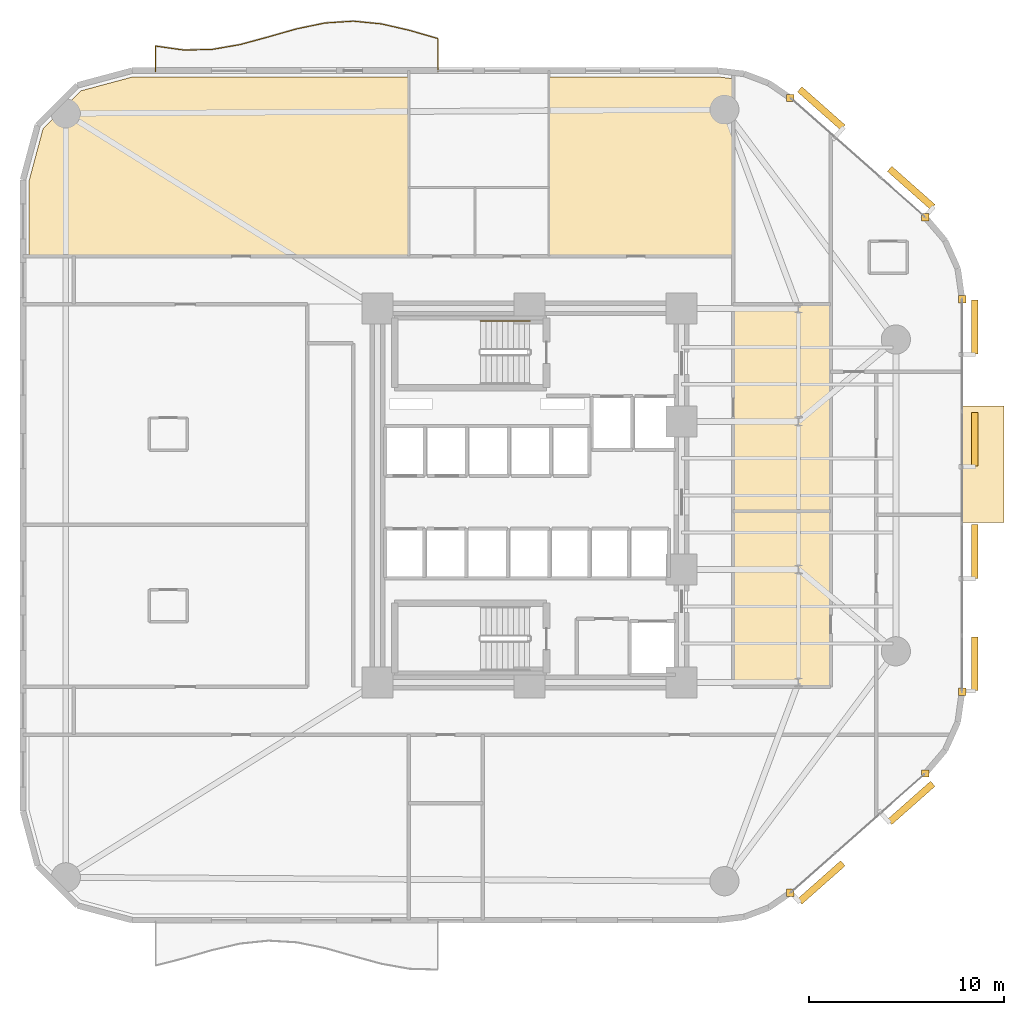
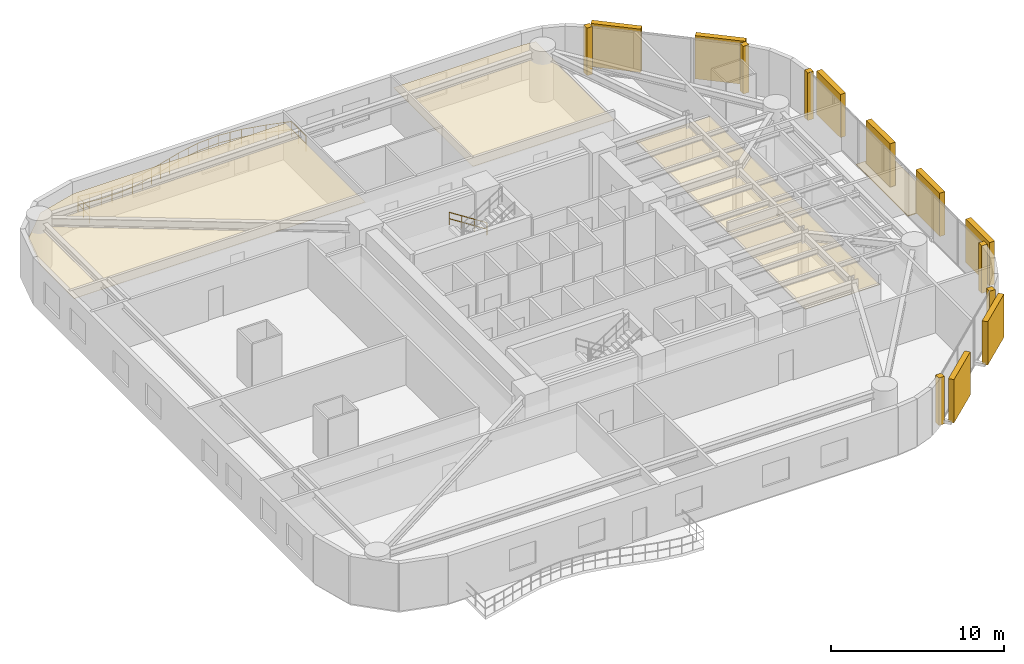
# One storey, part 16 of 16: 11 coverings, 8 shading devices, 2 railings.
"""IFC4 building model written with IfcOpenShell, lengths in metres."""

import ifcopenshell
import ifcopenshell.guid

model = None  # the IFC model being written
_history = None  # IfcOwnerHistory: only IFC2X3 demands one
_inside = {}  # id of a spatial element -> (the spatial element, [elements in it])
_under = {}  # id of a project, library or spatial element -> (it, [spatial elements below it])
_declared = {}  # id of a project -> (the project, [libraries it declares])
_typed = {}  # id of a type object -> (the type object, [elements of that type])
_made_of = {}  # id of a material, layer set ... -> (it, [elements and type objects made of it])


def new_model(schema):
    """Start an empty IFC model of exactly this schema.

    Asked for "IFC4X3", IfcOpenShell would pick the latest addendum, in which some entities
    have other attributes; the version numbers below select the first issue.
    IFC2X3 requires an IfcOwnerHistory on every rooted entity: one is made here for all.
    """
    global model, _history
    if schema == "IFC4X3":
        model = ifcopenshell.file(schema_version=(4, 3, 0, 0))
    else:
        model = ifcopenshell.file(schema=schema)
    _inside.clear()
    _under.clear()
    _declared.clear()
    _typed.clear()
    _made_of.clear()
    _history = None
    if model.schema == "IFC2X3":
        org = make("IfcOrganization", Name="unknown")
        user = make(
            "IfcPersonAndOrganization",
            ThePerson=make("IfcPerson", FamilyName="unknown"),
            TheOrganization=org,
        )
        app = make(
            "IfcApplication",
            ApplicationDeveloper=org,
            Version="unknown",
            ApplicationFullName="unknown",
            ApplicationIdentifier="unknown",
        )
        _history = make(
            "IfcOwnerHistory",
            OwningUser=user,
            OwningApplication=app,
            ChangeAction="ADDED",
            CreationDate=0,
        )
    return model


def make(cls, **values):
    """One entity of the class cls with the attributes given. An attribute that is None is left unset."""
    return model.create_entity(
        cls, **{name: value for name, value in values.items() if value is not None}
    )


def rooted(cls, **values):
    """An entity with a GlobalId (a new one), such as an element, a storey or a relation."""
    return make(cls, GlobalId=ifcopenshell.guid.new(), OwnerHistory=_history, **values)


def si_unit(unit_type, name, prefix=None):
    """IfcSIUnit, for example si_unit("LENGTHUNIT", "METRE", prefix="MILLI")."""
    return make("IfcSIUnit", UnitType=unit_type, Prefix=prefix, Name=name)


def assignment(units):
    """IfcUnitAssignment: the units of a project."""
    return None if units is None else make("IfcUnitAssignment", Units=units)


def point(xyz):
    """IfcCartesianPoint."""
    return None if xyz is None else make("IfcCartesianPoint", Coordinates=xyz)


def direction(xyz):
    """IfcDirection."""
    return None if xyz is None else make("IfcDirection", DirectionRatios=xyz)


def frame(location, z_axis=None, x_axis=None):
    """IfcAxis2Placement3D, a coordinate frame: its origin and axes. An axis left out is left unset."""
    return make(
        "IfcAxis2Placement3D",
        Location=point(location),
        Axis=direction(z_axis),
        RefDirection=direction(x_axis),
    )


def frame_2d(location, x_axis=None):
    """IfcAxis2Placement2D, a coordinate frame in the plane: its origin and x axis."""
    return make(
        "IfcAxis2Placement2D", Location=point(location), RefDirection=direction(x_axis)
    )


def origin():
    """The frame at (0, 0, 0) with its axes left unset."""
    return frame((0.0, 0.0, 0.0))


def origin_2d():
    """The frame at (0, 0) in the plane with its x axis left unset."""
    return frame_2d((0.0, 0.0))


def place(relative_to, where):
    """IfcLocalPlacement: puts the frame where relative to a parent placement (None: the world)."""
    return make(
        "IfcLocalPlacement", PlacementRelTo=relative_to, RelativePlacement=where
    )


def context(
    kind, dimensions, precision=None, world=None, true_north=None, identifier=None
):
    """IfcGeometricRepresentationContext, for example the 3D "Model" context."""
    return make(
        "IfcGeometricRepresentationContext",
        ContextIdentifier=identifier,
        ContextType=kind,
        CoordinateSpaceDimension=dimensions,
        Precision=precision,
        WorldCoordinateSystem=world,
        TrueNorth=true_north,
    )


def subcontext(parent, identifier, kind, view, scale=None):
    """IfcGeometricRepresentationSubContext, for example "Body" below "Model"."""
    return make(
        "IfcGeometricRepresentationSubContext",
        ContextIdentifier=identifier,
        ContextType=kind,
        ParentContext=parent,
        TargetScale=scale,
        TargetView=view,
    )


def project(units=None, contexts=None):
    """IfcProject with its units and contexts."""
    return rooted(
        "IfcProject",
        Name="project",
        RepresentationContexts=contexts,
        UnitsInContext=assignment(units),
    )


def spatial(cls, under=None, at=None, **own):
    """A site, building, storey or space (cls), placed at a placement, below another one or the project."""
    s = rooted(cls, ObjectPlacement=at, **own)
    if under is not None:
        _under.setdefault(under.id(), (under, []))[1].append(s)
    return s


def polyline(points):
    """IfcPolyline through the points."""
    return make("IfcPolyline", Points=[point(p) for p in points])


def profile(cls, at=None, kind="AREA", **sizes):
    """A parametric profile (cls). Its sizes go by their IFC names, for example OverallWidth=200.0."""
    return make(cls, ProfileType=kind, Position=at, **sizes)


def rectangle(**sizes):
    """IfcRectangleProfileDef."""
    return profile("IfcRectangleProfileDef", **sizes)


def circle(**sizes):
    """IfcCircleProfileDef."""
    return profile("IfcCircleProfileDef", **sizes)


def outline(outer, holes=None, kind="AREA"):
    """IfcArbitraryClosedProfileDef: a profile drawn as a closed curve; with holes, ...WithVoids."""
    if holes is None:
        return make("IfcArbitraryClosedProfileDef", ProfileType=kind, OuterCurve=outer)
    return make(
        "IfcArbitraryProfileDefWithVoids",
        ProfileType=kind,
        OuterCurve=outer,
        InnerCurves=holes,
    )


def extrude(swept, where, along, depth):
    """IfcExtrudedAreaSolid: the profile swept, set in the frame where, extruded along a direction by depth."""
    return make(
        "IfcExtrudedAreaSolid",
        SweptArea=swept,
        Position=where,
        ExtrudedDirection=direction(along),
        Depth=depth,
    )


def shape(context_of_items, identifier, shape_type, items):
    """IfcShapeRepresentation: the items that make up one representation, for example the "Body"."""
    return make(
        "IfcShapeRepresentation",
        ContextOfItems=context_of_items,
        RepresentationIdentifier=identifier,
        RepresentationType=shape_type,
        Items=items,
    )


def material(Name=None, Category=None):
    """IfcMaterial."""
    return make("IfcMaterial", Name=Name, Category=Category)


def layer(
    of_material, thickness, ventilated=None, Name=None, Category=None, Priority=None
):
    """IfcMaterialLayer: one layer of a wall or slab, of a material (None: an air gap)."""
    return make(
        "IfcMaterialLayer",
        Material=of_material,
        LayerThickness=thickness,
        IsVentilated=ventilated,
        Name=Name,
        Category=Category,
        Priority=Priority,
    )


def layer_set(layers, Name=None):
    """IfcMaterialLayerSet."""
    return make("IfcMaterialLayerSet", MaterialLayers=layers, LayerSetName=Name)


def made_of(thing, what):
    """Note that an element or type object is made of a material, layer set ...; save() writes the relation."""
    if what is not None:
        _made_of.setdefault(what.id(), (what, []))[1].append(thing)
    return thing


def type_object(cls, material=None, **own):
    """A type object (cls), such as IfcWallType, which elements share."""
    return made_of(rooted(cls, **own), material)


def element(
    cls,
    number,
    at=None,
    inside=None,
    cuts=None,
    type_object=None,
    material=None,
    context=None,
    identifier="Body",
    shape_type=None,
    held_by="IfcProductDefinitionShape",
    body=None,
    shapes=None,
    **own,
):
    """One element of the class cls, such as IfcWall. Its Tag is "e" and its number.

    at: its placement. inside: the storey or other place that contains it. cuts: it is an
    opening in that element (IfcRelVoidsElement). A single representation is given by context,
    identifier, shape_type and body (its items); several are given by shapes. held_by: the class
    of the entity that holds the representations. save() writes the other relations.
    """
    e = rooted(cls, Tag="e%d" % number, ObjectPlacement=at, **own)
    if body is not None:
        shapes = [shape(context, identifier, shape_type, body)]
    if shapes is not None:
        e.Representation = make(held_by, Representations=shapes)
    if inside is not None:
        _inside.setdefault(inside.id(), (inside, []))[1].append(e)
    if cuts is not None:
        rooted(
            "IfcRelVoidsElement", RelatingBuildingElement=cuts, RelatedOpeningElement=e
        )
    if type_object is not None:
        _typed.setdefault(type_object.id(), (type_object, []))[1].append(e)
    return made_of(e, material)


def aggregate(whole, parts):
    """IfcRelAggregates: a whole, such as a stair, and the parts it consists of."""
    return rooted("IfcRelAggregates", RelatingObject=whole, RelatedObjects=parts)


def save(model, path):
    """Write the relations noted so far, then the file.

    IfcRelAggregates (storeys below a building ...), IfcRelContainedInSpatialStructure (elements
    in a storey), IfcRelDefinesByType, IfcRelAssociatesMaterial and IfcRelDeclares: one each for
    every whole, place, type object, material and project.
    """
    for whole, parts in _under.values():
        aggregate(whole, parts)
    for where, things in _inside.values():
        rooted(
            "IfcRelContainedInSpatialStructure",
            RelatedElements=things,
            RelatingStructure=where,
        )
    for kind, things in _typed.values():
        rooted("IfcRelDefinesByType", RelatedObjects=things, RelatingType=kind)
    for what, things in _made_of.values():
        rooted("IfcRelAssociatesMaterial", RelatedObjects=things, RelatingMaterial=what)
    for by, libraries in _declared.values():
        rooted("IfcRelDeclares", RelatingContext=by, RelatedDefinitions=libraries)
    model.write(path)


model = new_model("IFC4")

# Units and contexts
model_context = context("Model", 3, precision=1e-05, world=origin(), true_north=direction((0.0, 1.0)))
body_context = subcontext(model_context, "Body", "Model", "MODEL_VIEW")
ifc_project = project(units=[si_unit("LENGTHUNIT", "METRE"), si_unit("AREAUNIT", "SQUARE_METRE"), si_unit("VOLUMEUNIT", "CUBIC_METRE"), si_unit("PLANEANGLEUNIT", "RADIAN"), si_unit("MASSUNIT", "GRAM", prefix="KILO")], contexts=[model_context])

# Site, building, storey
site_placement = place(None, origin())
site = spatial("IfcSite", under=ifc_project, at=site_placement, CompositionType="ELEMENT")
building_placement = place(site_placement, origin())
building = spatial("IfcBuilding", under=site, at=building_placement, Name="An Khanh Terracotta Commons", CompositionType="ELEMENT")
storey_placement = place(building_placement, frame((0.0, 0.0, 72.0)))
storey = spatial("IfcBuildingStorey", under=building, at=storey_placement, Name="L19", CompositionType="ELEMENT", Elevation=72.0)

# Coverings
ifc_material_1 = material(Name="Perforated Mineral-Fibre Acoustic Tile")
ifc_layer_1 = layer(ifc_material_1, 0.02001953125, Name="Perforated Mineral-Fibre Acoustic Tile")
ifc_layer_set_1 = layer_set([ifc_layer_1], Name="Perforated Mineral-Fibre Acoustic Tile")
covering_type_1 = type_object("IfcCoveringType", Name="CEIL-ACOUSTIC-18", PredefinedType="CEILING", material=ifc_layer_set_1)
covering_1_placement = place(storey_placement, frame((0.0, 0.0, 2.64990234375)))
element("IfcCovering", 1, at=covering_1_placement, inside=storey, type_object=covering_type_1, Name="L19 Collaborative Study Lounge Ceiling", PredefinedType="CEILING", context=body_context, shape_type="SweptSolid", body=[
    extrude(outline(polyline([(39.85009765625, 23.199951171875), (44.85009765625, 23.199951171875), (44.85009765625, 14.179931640625), (39.85009765625, 14.179931640625), (39.85009765625, 23.199951171875)])), origin(), (0.0, 0.0, 1.0), 0.02001953125),
])
covering_2_placement = place(storey_placement, frame((0.0, 0.0, 2.64990234375)))
element("IfcCovering", 2, at=covering_2_placement, inside=storey, type_object=covering_type_1, Name="L19 Academic Seminar Room Ceiling", PredefinedType="CEILING", context=body_context, shape_type="SweptSolid", body=[
    extrude(outline(polyline([(39.85009765625, 33.820068359375), (44.85009765625, 33.820068359375), (44.85009765625, 30.35009765625), (44.85009765625, 23.199951171875), (39.85009765625, 23.199951171875), (39.85009765625, 33.820068359375)])), origin(), (0.0, 0.0, 1.0), 0.02001953125),
])
covering_3_placement = place(storey_placement, frame((0.0, 0.0, 2.64990234375)))
element("IfcCovering", 3, at=covering_3_placement, inside=storey, type_object=covering_type_1, Name="L19 Academic Seminar Room Ceiling", PredefinedType="CEILING", context=body_context, shape_type="SweptSolid", body=[
    extrude(outline(polyline([(9.0419921875, 45.47998046875), (23.199951171875, 45.47998046875), (23.199951171875, 39.800048828125), (23.199951171875, 36.280029296875), (6.0, 36.280029296875), (3.719970703125, 36.280029296875), (3.719970703125, 40.157958984375), (4.43701171875, 42.833984375), (6.365966796875, 44.762939453125), (9.0419921875, 45.47998046875)])), origin(), (0.0, 0.0, 1.0), 0.02001953125),
])
covering_4_placement = place(storey_placement, frame((0.0, 0.0, 2.64990234375)))
element("IfcCovering", 4, at=covering_4_placement, inside=storey, type_object=covering_type_1, Name="L19 Academic Seminar Room Ceiling", PredefinedType="CEILING", context=body_context, shape_type="SweptSolid", body=[
    extrude(outline(polyline([(39.06005859375, 45.47998046875), (39.85009765625, 45.384033203125), (39.85009765625, 36.280029296875), (37.5, 36.280029296875), (30.39990234375, 36.280029296875), (30.39990234375, 39.800048828125), (30.39990234375, 45.47998046875), (39.06005859375, 45.47998046875)])), origin(), (0.0, 0.0, 1.0), 0.02001953125),
])
ifc_material_2 = material(Name="Fired Terracotta Rainscreen Cladding", Category="masonry")
ifc_layer_2 = layer(ifc_material_2, 0.080078125, Name="Fired Terracotta Rainscreen Cladding")
ifc_layer_set_2 = layer_set([ifc_layer_2], Name="Fired Terracotta Rainscreen Cladding")
covering_type_2 = type_object("IfcCoveringType", Name="COV-JAMB-TERRA", PredefinedType="CLADDING", material=ifc_layer_set_2)
for number, where, z_axis, x_axis, name in (
    (5, (42.7890625, 3.60595703125, 0.0), (0.0, 0.0, 1.0), (1.0, 0.0, 0.0), "L19 CW-02 Curtain-Wall Jamb Closure JA"),
    (6, (49.7099609375, 9.72802734375, 0.0), (0.0, 0.0, 1.0), (1.0, 0.0, 0.0), "L19 CW-02 Curtain-Wall Jamb Closure JB"),
    (7, (51.60009765625, 13.923095703125, 0.0), (0.0, 0.0, 1.0), (1.0, 0.0, 0.0), "L19 CW-02 Curtain-Wall Jamb Closure JA"),
    (8, (51.60009765625, 34.076904296875, 0.0), (0.0, 0.0, 1.0), (1.0, 0.0, 0.0), "L19 CW-02 Curtain-Wall Jamb Closure JB"),
    (9, (49.7099609375, 38.27197265625, 0.0), (0.0, 0.0, 1.0), (1.0, 0.0, 0.0), "L19 CW-02 Curtain-Wall Jamb Closure JA"),
    (10, (42.7890625, 44.39404296875, 0.0), (0.0, 0.0, 1.0), (1.0, 0.0, 0.0), "L19 CW-02 Curtain-Wall Jamb Closure JB"),
):
    element("IfcCovering", number, at=place(storey_placement, frame(where, z_axis=z_axis, x_axis=x_axis)), inside=storey, type_object=covering_type_2, Name=name, PredefinedType="CLADDING", context=body_context, shape_type="SweptSolid", body=[
        extrude(rectangle(XDim=0.3798828125, YDim=0.3798828125, at=origin_2d()), origin(), (0.0, 0.0, 1.0), 3.360107421875),
    ])
ifc_material_3 = material(Name="Planted Garden Waterproofing Membrane")
ifc_layer_3 = layer(ifc_material_3, 0.080078125, Name="Planted Garden Waterproofing Membrane")
ifc_layer_set_3 = layer_set([ifc_layer_3], Name="Planted Garden Waterproofing Membrane")
covering_type_3 = type_object("IfcCoveringType", Name="COV-ROOFING-GREEN", PredefinedType="ROOFING", material=ifc_layer_set_3)
covering_5_placement = place(storey_placement, origin())
element("IfcCovering", 11, at=covering_5_placement, inside=storey, type_object=covering_type_3, Name="L19 Shifted Box Roof Waterproofing (L18)", PredefinedType="ROOFING", context=body_context, shape_type="SweptSolid", body=[
    extrude(outline(polyline([(51.60009765625, 22.60009765625), (53.75, 22.60009765625), (53.75, 28.60009765625), (51.60009765625, 28.60009765625), (51.60009765625, 22.60009765625)])), origin(), (0.0, 0.0, 1.0), 0.06005859375),
])

# Railings
ifc_material_4 = material(Name="Brushed Stainless Steel 316", Category="steel")
railing_type_1 = type_object("IfcRailingType", Name="RAIL-BALUSTRADE-1100", PredefinedType="BALUSTRADE", material=ifc_material_4)
railing_1_placement = place(storey_placement, frame((24.699951171875, 45.739990234375, 0.0)))
element("IfcRailing", 12, at=railing_1_placement, inside=storey, type_object=railing_type_1, Name="L19 N Wave Balcony Guard Balustrade", PredefinedType="BALUSTRADE", context=body_context, shape_type="SweptSolid", body=[
    extrude(circle(Radius=0.02392578125, at=origin_2d()), frame((0.0, 0.0, 1.076171875), z_axis=(0.0, 1.0, 0.0), x_axis=(-1.0, 0.0, 0.0)), (0.0, 0.0, 1.0), 1.7041015625),
    extrude(circle(Radius=0.02392578125, at=origin_2d()), frame((0.0, 0.0, 0.52587890625), z_axis=(0.0, 1.0, 0.0), x_axis=(-1.0, 0.0, 0.0)), (0.0, 0.0, 1.0), 1.7041015625),
    extrude(circle(Radius=0.02392578125, at=origin_2d()), frame((0.0, 1.7041015625, 1.076171875), z_axis=(-0.960701721664, 0.277582784034, 0.0), x_axis=(-0.277582784034, -0.960701721664, 0.0)), (0.0, 0.0, 1.0), 1.50927734375),
    extrude(circle(Radius=0.02392578125, at=origin_2d()), frame((0.0, 1.7041015625, 0.52587890625), z_axis=(-0.960701721664, 0.277582784034, 0.0), x_axis=(-0.277582784034, -0.960701721664, 0.0)), (0.0, 0.0, 1.0), 1.50927734375),
    extrude(circle(Radius=0.02392578125, at=origin_2d()), frame((-1.449951171875, 2.123046875, 1.076171875), z_axis=(-0.974482374478, 0.224464032377, 0.0), x_axis=(-0.224464032377, -0.974482374478, 0.0)), (0.0, 0.0, 1.0), 1.488037109375),
    extrude(circle(Radius=0.02392578125, at=origin_2d()), frame((-1.449951171875, 2.123046875, 0.52587890625), z_axis=(-0.974482374478, 0.224464032377, 0.0), x_axis=(-0.224464032377, -0.974482374478, 0.0)), (0.0, 0.0, 1.0), 1.488037109375),
    extrude(circle(Radius=0.02392578125, at=origin_2d()), frame((-2.89990234375, 2.45703125, 1.076171875), z_axis=(-0.995232672136, 0.097529115202, 0.0), x_axis=(-0.097529115202, -0.995232672136, 0.0)), (0.0, 0.0, 1.0), 1.456787109375),
    extrude(circle(Radius=0.02392578125, at=origin_2d()), frame((-2.89990234375, 2.45703125, 0.52587890625), z_axis=(-0.995232672136, 0.097529115202, 0.0), x_axis=(-0.097529115202, -0.995232672136, 0.0)), (0.0, 0.0, 1.0), 1.456787109375),
    extrude(circle(Radius=0.02392578125, at=origin_2d()), frame((-4.349853515625, 2.59912109375, 1.076171875), z_axis=(-0.997851551328, -0.065515505895, 0.0), x_axis=(0.065515505895, -0.997851551328, 0.0)), (0.0, 0.0, 1.0), 1.453369140625),
    extrude(circle(Radius=0.02392578125, at=origin_2d()), frame((-4.349853515625, 2.59912109375, 0.52587890625), z_axis=(-0.997851551328, -0.065515505895, 0.0), x_axis=(0.065515505895, -0.997851551328, 0.0)), (0.0, 0.0, 1.0), 1.453369140625),
    extrude(circle(Radius=0.02392578125, at=origin_2d()), frame((-5.800048828125, 2.50390625, 1.076171875), z_axis=(-0.979285230357, -0.2024856479, 0.0), x_axis=(0.2024856479, -0.979285230357, 0.0)), (0.0, 0.0, 1.0), 1.480712890625),
    extrude(circle(Radius=0.02392578125, at=origin_2d()), frame((-5.800048828125, 2.50390625, 0.52587890625), z_axis=(-0.979285230357, -0.2024856479, 0.0), x_axis=(0.2024856479, -0.979285230357, 0.0)), (0.0, 0.0, 1.0), 1.480712890625),
    extrude(circle(Radius=0.02392578125, at=origin_2d()), frame((-7.25, 2.2041015625, 1.076171875), z_axis=(-0.961731438212, -0.27399386992, 0.0), x_axis=(0.27399386992, -0.961731438212, 0.0)), (0.0, 0.0, 1.0), 1.507568359375),
    extrude(circle(Radius=0.02392578125, at=origin_2d()), frame((-7.25, 2.2041015625, 0.52587890625), z_axis=(-0.961731438212, -0.27399386992, 0.0), x_axis=(0.27399386992, -0.961731438212, 0.0)), (0.0, 0.0, 1.0), 1.507568359375),
    extrude(circle(Radius=0.02392578125, at=origin_2d()), frame((-8.699951171875, 1.791015625, 1.076171875), z_axis=(-0.964999660908, -0.262251128592, 0.0), x_axis=(0.262251128592, -0.964999660908, 0.0)), (0.0, 0.0, 1.0), 1.50244140625),
    extrude(circle(Radius=0.02392578125, at=origin_2d()), frame((-8.699951171875, 1.791015625, 0.52587890625), z_axis=(-0.964999660908, -0.262251128592, 0.0), x_axis=(0.262251128592, -0.964999660908, 0.0)), (0.0, 0.0, 1.0), 1.50244140625),
    extrude(circle(Radius=0.02392578125, at=origin_2d()), frame((-10.14990234375, 1.39697265625, 1.076171875), z_axis=(-0.985347824939, -0.170556922721, 0.0), x_axis=(0.170556922721, -0.985347824939, 0.0)), (0.0, 0.0, 1.0), 1.471435546875),
    extrude(circle(Radius=0.02392578125, at=origin_2d()), frame((-10.14990234375, 1.39697265625, 0.52587890625), z_axis=(-0.985347824939, -0.170556922721, 0.0), x_axis=(0.170556922721, -0.985347824939, 0.0)), (0.0, 0.0, 1.0), 1.471435546875),
    extrude(circle(Radius=0.02392578125, at=origin_2d()), frame((-11.599853515625, 1.14599609375, 1.076171875), z_axis=(-0.999799386417, -0.020029651007, 0.0), x_axis=(0.020029651007, -0.999799386417, 0.0)), (0.0, 0.0, 1.0), 1.450439453125),
    extrude(circle(Radius=0.02392578125, at=origin_2d()), frame((-11.599853515625, 1.14599609375, 0.52587890625), z_axis=(-0.999799386417, -0.020029651007, 0.0), x_axis=(0.020029651007, -0.999799386417, 0.0)), (0.0, 0.0, 1.0), 1.450439453125),
    extrude(circle(Radius=0.02392578125, at=origin_2d()), frame((-13.050048828125, 1.116943359375, 1.076171875), z_axis=(-0.990329378756, 0.138736158129, 0.0), x_axis=(-0.138736158129, -0.990329378756, 0.0)), (0.0, 0.0, 1.0), 1.464111328125),
    extrude(circle(Radius=0.02392578125, at=origin_2d()), frame((-13.050048828125, 1.116943359375, 0.52587890625), z_axis=(-0.990329378756, 0.138736158129, 0.0), x_axis=(-0.138736158129, -0.990329378756, 0.0)), (0.0, 0.0, 1.0), 1.464111328125),
    extrude(circle(Radius=0.02392578125, at=origin_2d()), frame((-14.5, 1.320068359375, 1.076171875), z_axis=(0.0, -1.0, 0.0), x_axis=(1.0, 0.0, 0.0)), (0.0, 0.0, 1.0), 1.320068359375),
    extrude(circle(Radius=0.02392578125, at=origin_2d()), frame((-14.5, 1.320068359375, 0.52587890625), z_axis=(0.0, -1.0, 0.0), x_axis=(1.0, 0.0, 0.0)), (0.0, 0.0, 1.0), 1.320068359375),
    extrude(circle(Radius=0.02099609375, at=origin_2d()), origin(), (0.0, 0.0, 1.0), 1.052001953125),
    extrude(circle(Radius=0.02099609375, at=origin_2d()), frame((0.0, 0.85205078125, 0.0)), (0.0, 0.0, 1.0), 1.052001953125),
    extrude(circle(Radius=0.02099609375, at=origin_2d()), frame((0.0, 1.7041015625, 0.0)), (0.0, 0.0, 1.0), 1.052001953125),
    extrude(circle(Radius=0.02099609375, at=origin_2d()), frame((-0.72509765625, 1.91357421875, 0.0)), (0.0, 0.0, 1.0), 1.052001953125),
    extrude(circle(Radius=0.02099609375, at=origin_2d()), frame((-1.449951171875, 2.123046875, 0.0)), (0.0, 0.0, 1.0), 1.052001953125),
    extrude(circle(Radius=0.02099609375, at=origin_2d()), frame((-2.1748046875, 2.2900390625, 0.0)), (0.0, 0.0, 1.0), 1.052001953125),
    extrude(circle(Radius=0.02099609375, at=origin_2d()), frame((-2.89990234375, 2.45703125, 0.0)), (0.0, 0.0, 1.0), 1.052001953125),
    extrude(circle(Radius=0.02099609375, at=origin_2d()), frame((-3.625, 2.528076171875, 0.0)), (0.0, 0.0, 1.0), 1.052001953125),
    extrude(circle(Radius=0.02099609375, at=origin_2d()), frame((-4.349853515625, 2.59912109375, 0.0)), (0.0, 0.0, 1.0), 1.052001953125),
    extrude(circle(Radius=0.02099609375, at=origin_2d()), frame((-5.074951171875, 2.551513671875, 0.0)), (0.0, 0.0, 1.0), 1.052001953125),
    extrude(circle(Radius=0.02099609375, at=origin_2d()), frame((-5.800048828125, 2.50390625, 0.0)), (0.0, 0.0, 1.0), 1.052001953125),
    extrude(circle(Radius=0.02099609375, at=origin_2d()), frame((-6.52490234375, 2.35400390625, 0.0)), (0.0, 0.0, 1.0), 1.052001953125),
    extrude(circle(Radius=0.02099609375, at=origin_2d()), frame((-7.25, 2.2041015625, 0.0)), (0.0, 0.0, 1.0), 1.052001953125),
    extrude(circle(Radius=0.02099609375, at=origin_2d()), frame((-7.97509765625, 1.99755859375, 0.0)), (0.0, 0.0, 1.0), 1.052001953125),
    extrude(circle(Radius=0.02099609375, at=origin_2d()), frame((-8.699951171875, 1.791015625, 0.0)), (0.0, 0.0, 1.0), 1.052001953125),
    extrude(circle(Radius=0.02099609375, at=origin_2d()), frame((-9.4248046875, 1.593994140625, 0.0)), (0.0, 0.0, 1.0), 1.052001953125),
    extrude(circle(Radius=0.02099609375, at=origin_2d()), frame((-10.14990234375, 1.39697265625, 0.0)), (0.0, 0.0, 1.0), 1.052001953125),
    extrude(circle(Radius=0.02099609375, at=origin_2d()), frame((-10.875, 1.271484375, 0.0)), (0.0, 0.0, 1.0), 1.052001953125),
    extrude(circle(Radius=0.02099609375, at=origin_2d()), frame((-11.599853515625, 1.14599609375, 0.0)), (0.0, 0.0, 1.0), 1.052001953125),
    extrude(circle(Radius=0.02099609375, at=origin_2d()), frame((-12.324951171875, 1.13134765625, 0.0)), (0.0, 0.0, 1.0), 1.052001953125),
    extrude(circle(Radius=0.02099609375, at=origin_2d()), frame((-13.050048828125, 1.116943359375, 0.0)), (0.0, 0.0, 1.0), 1.052001953125),
    extrude(circle(Radius=0.02099609375, at=origin_2d()), frame((-13.77490234375, 1.218505859375, 0.0)), (0.0, 0.0, 1.0), 1.052001953125),
    extrude(circle(Radius=0.02099609375, at=origin_2d()), frame((-14.5, 1.320068359375, 0.0)), (0.0, 0.0, 1.0), 1.052001953125),
    extrude(circle(Radius=0.02099609375, at=origin_2d()), frame((-14.5, 0.66015625, 0.0)), (0.0, 0.0, 1.0), 1.052001953125),
    extrude(circle(Radius=0.02099609375, at=origin_2d()), frame((-14.5, 0.0, 0.0)), (0.0, 0.0, 1.0), 1.052001953125),
])
railing_type_2 = type_object("IfcRailingType", Name="RAIL-HANDRAIL-900", PredefinedType="HANDRAIL", material=ifc_material_4)
railing_2_placement = place(storey_placement, frame((29.409912109375, 32.949951171875, 0.179931640625)))
element("IfcRailing", 13, at=railing_2_placement, inside=storey, type_object=railing_type_2, Name="L19 ST-01 stair handrail 1", PredefinedType="HANDRAIL", context=body_context, shape_type="SweptSolid", body=[
    extrude(circle(Radius=0.02392578125, at=origin_2d()), frame((0.0, 0.0, 0.8759765625), z_axis=(-0.841162588446, 0.0, 0.540782303519), x_axis=(0.0, -1.0, 0.0)), (0.0, 0.0, 1.0), 2.995849609375),
    extrude(circle(Radius=0.02392578125, at=origin_2d()), frame((0.0, 0.0, 0.42578125), z_axis=(-0.841162588446, 0.0, 0.540782303519), x_axis=(0.0, -1.0, 0.0)), (0.0, 0.0, 1.0), 2.995849609375),
    extrude(circle(Radius=0.02099609375, at=origin_2d()), origin(), (0.0, 0.0, 1.0), 0.851806640625),
    extrude(circle(Radius=0.02099609375, at=origin_2d()), frame((-0.840087890625, 0.0, 0.5400390625)), (0.0, 0.0, 1.0), 0.851806640625),
    extrude(circle(Radius=0.02099609375, at=origin_2d()), frame((-1.679931640625, 0.0, 1.080078125)), (0.0, 0.0, 1.0), 0.851806640625),
    extrude(circle(Radius=0.02099609375, at=origin_2d()), frame((-2.52001953125, 0.0, 1.6201171875)), (0.0, 0.0, 1.0), 0.851806640625),
])

# Shading devices
ifc_material_5 = material(Name="Extruded Fired Terracotta", Category="masonry")
shading_device_type = type_object("IfcShadingDeviceType", Name="Terracotta Baguette Screen Assembly", PredefinedType="USERDEFINED", material=ifc_material_5)
for number, where, z_axis, x_axis, name in (
    (14, (44.373046875, 4.138916015625, 0.14990234375), (0.0, 0.0, 1.0), (0.749019284633, 0.662548195415, 0.0), "L19 Terracotta Baguette Screen 1"),
    (15, (48.987060546875, 8.220947265625, 0.14990234375), (0.0, 0.0, 1.0), (0.749019284633, 0.662548195415, 0.0), "L19 Terracotta Baguette Screen 3"),
):
    element("IfcShadingDevice", number, at=place(storey_placement, frame(where, z_axis=z_axis, x_axis=x_axis)), inside=storey, type_object=shading_device_type, Name=name, ObjectType="BAGUETTE", PredefinedType="USERDEFINED", context=body_context, shape_type="SweptSolid", body=[
        extrude(rectangle(XDim=2.9599609375, YDim=0.35009765625, at=origin_2d()), origin(), (0.0, 0.0, 1.0), 3.06005859375),
    ])
for number, where, z_axis, x_axis, name in (
    (16, (52.25, 15.363037109375, 0.14990234375), (0.0, 0.0, 1.0), (0.0, 1.0, 0.0), "L19 Terracotta Baguette Screen 1"),
    (17, (52.25, 21.12109375, 0.14990234375), (0.0, 0.0, 1.0), (0.0, 1.0, 0.0), "L19 Terracotta Baguette Screen 3"),
    (18, (52.25, 26.87890625, 0.14990234375), (0.0, 0.0, 1.0), (0.0, 1.0, 0.0), "L19 Terracotta Baguette Screen 5"),
    (19, (52.25, 32.636962890625, 0.14990234375), (0.0, 0.0, 1.0), (0.0, 1.0, 0.0), "L19 Terracotta Baguette Screen 7"),
):
    element("IfcShadingDevice", number, at=place(storey_placement, frame(where, z_axis=z_axis, x_axis=x_axis)), inside=storey, type_object=shading_device_type, Name=name, ObjectType="BAGUETTE", PredefinedType="USERDEFINED", context=body_context, shape_type="SweptSolid", body=[
        extrude(rectangle(XDim=2.759033203125, YDim=0.35009765625, at=origin_2d()), origin(), (0.0, 0.0, 1.0), 3.06005859375),
    ])
for number, where, z_axis, x_axis, name in (
    (20, (48.987060546875, 39.779052734375, 0.14990234375), (0.0, 0.0, 1.0), (-0.749019284633, 0.662548195415, 0.0), "L19 Terracotta Baguette Screen 1"),
    (21, (44.373046875, 43.861083984375, 0.14990234375), (0.0, 0.0, 1.0), (-0.749019284633, 0.662548195415, 0.0), "L19 Terracotta Baguette Screen 3"),
):
    element("IfcShadingDevice", number, at=place(storey_placement, frame(where, z_axis=z_axis, x_axis=x_axis)), inside=storey, type_object=shading_device_type, Name=name, ObjectType="BAGUETTE", PredefinedType="USERDEFINED", context=body_context, shape_type="SweptSolid", body=[
        extrude(rectangle(XDim=2.9599609375, YDim=0.35009765625, at=origin_2d()), origin(), (0.0, 0.0, 1.0), 3.06005859375),
    ])

save(model, "model.ifc")
